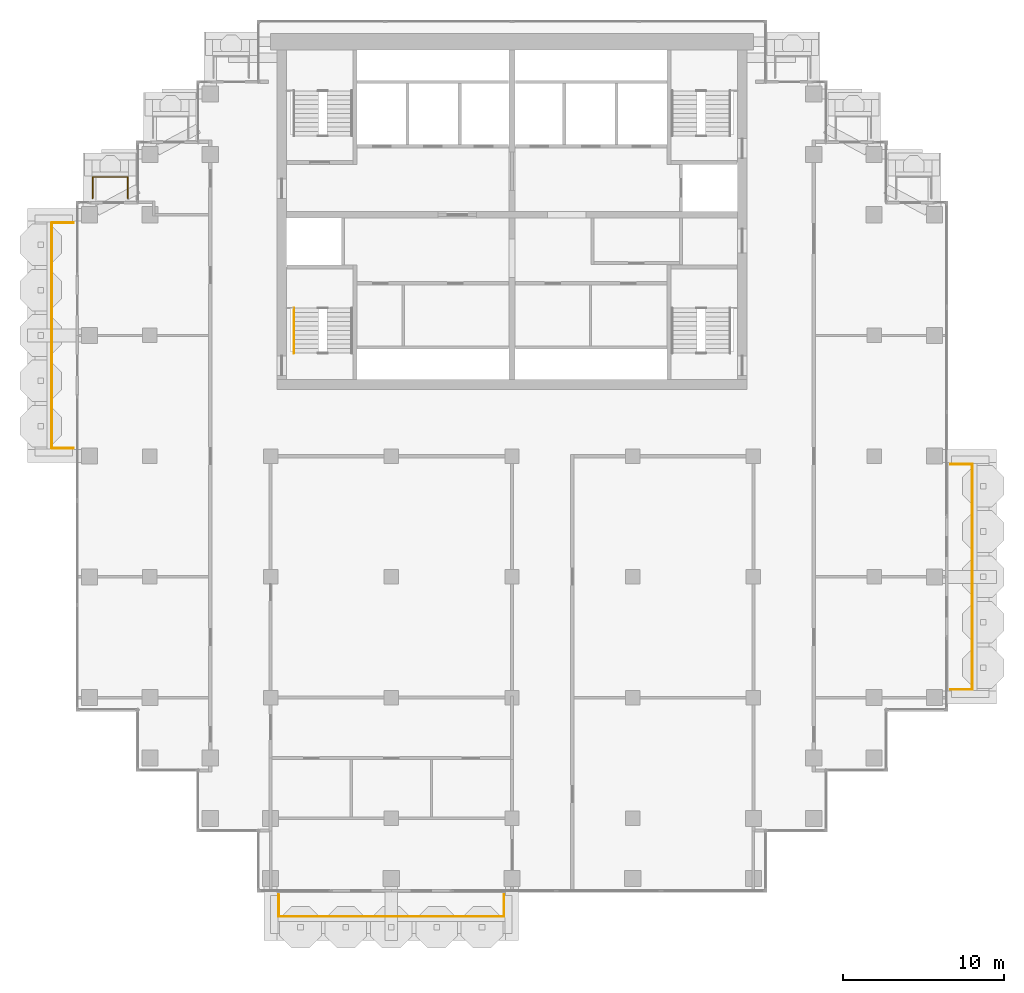
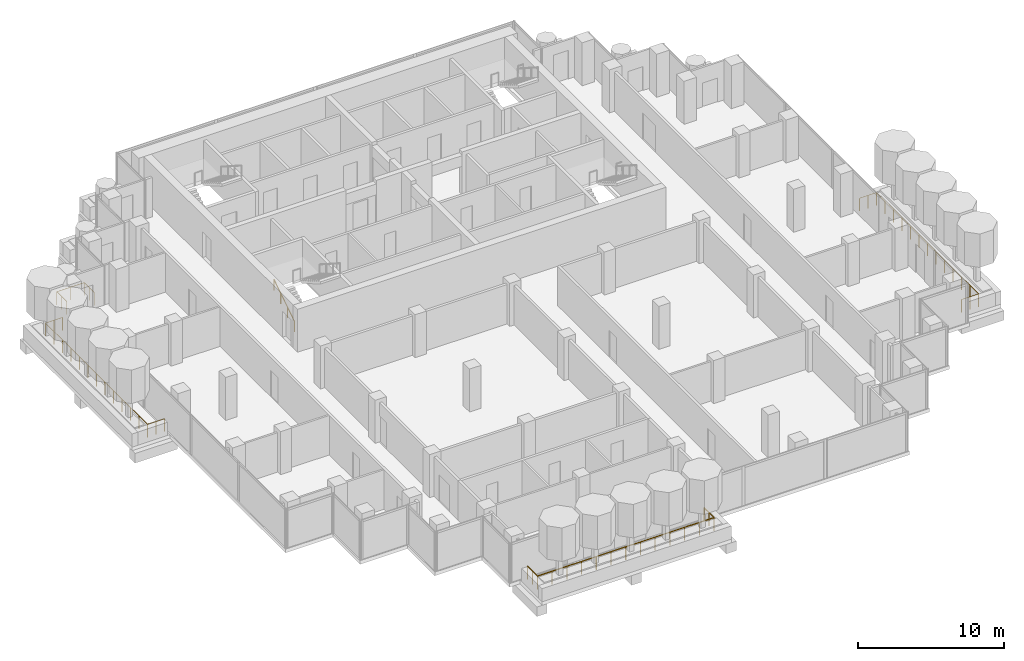
# One storey, part 15 of 17: 5 railings.
"""IFC4 building model written with IfcOpenShell, lengths in metres."""

from ifc_helpers import new_model, si_unit, direction, frame, origin, origin_2d, place, context, subcontext, project, spatial, circle, extrude, material, type_object, element, save


model = new_model("IFC4")

# Units and contexts
model_context = context("Model", 3, precision=1e-05, world=origin(), true_north=direction((0.0, 1.0)))
body_context = subcontext(model_context, "Body", "Model", "MODEL_VIEW")
ifc_project = project(units=[si_unit("LENGTHUNIT", "METRE"), si_unit("AREAUNIT", "SQUARE_METRE"), si_unit("VOLUMEUNIT", "CUBIC_METRE"), si_unit("PLANEANGLEUNIT", "RADIAN"), si_unit("MASSUNIT", "GRAM", prefix="KILO")], contexts=[model_context])

# Site, building, storey
site_placement = place(None, origin())
site = spatial("IfcSite", under=ifc_project, at=site_placement, CompositionType="ELEMENT")
building_placement = place(site_placement, origin())
building = spatial("IfcBuilding", under=site, at=building_placement, Name="Pilkhan Gate Tower", CompositionType="ELEMENT")
storey_placement = place(building_placement, frame((0.0, 0.0, 213.89990234375)))
storey = spatial("IfcBuildingStorey", under=building, at=storey_placement, Name="L55", CompositionType="ELEMENT", Elevation=213.89990234375)

# Railings
ifc_material_1 = material(Name="Pale anodised aluminium posts, laminated glass infill", Category="aluminium")
railing_type_1 = type_object("IfcRailingType", Name="Balcony guard G1", PredefinedType="BALUSTRADE", material=ifc_material_1)
railing_1_placement = place(storey_placement, frame((60.5, 40.25, 0.0)))
element("IfcRailing", 1, at=railing_1_placement, inside=storey, type_object=railing_type_1, Name="Balcony guard L55 S", PredefinedType="BALUSTRADE", context=body_context, shape_type="SweptSolid", body=[
    extrude(circle(Radius=0.02392578125, at=origin_2d()), frame((0.0, 0.0, 1.076171875), z_axis=(0.0, -1.0, 0.0), x_axis=(1.0, 0.0, 0.0)), (0.0, 0.0, 1.0), 1.35009765625),
    extrude(circle(Radius=0.02392578125, at=origin_2d()), frame((0.0, -1.35009765625, 1.076171875), z_axis=(1.0, 0.0, 0.0), x_axis=(0.0, 1.0, 0.0)), (0.0, 0.0, 1.0), 14.0),
    extrude(circle(Radius=0.02392578125, at=origin_2d()), frame((14.0, -1.35009765625, 1.076171875), z_axis=(0.0, 1.0, 0.0), x_axis=(-1.0, 0.0, 0.0)), (0.0, 0.0, 1.0), 1.35009765625),
    extrude(circle(Radius=0.02099609375, at=origin_2d()), origin(), (0.0, 0.0, 1.0), 1.052001953125),
    extrude(circle(Radius=0.02099609375, at=origin_2d()), frame((0.0, -0.675048828125, 0.0)), (0.0, 0.0, 1.0), 1.052001953125),
    extrude(circle(Radius=0.02099609375, at=origin_2d()), frame((0.0, -1.35009765625, 0.0)), (0.0, 0.0, 1.0), 1.052001953125),
    extrude(circle(Radius=0.02099609375, at=origin_2d()), frame((1.166748046875, -1.35009765625, 0.0)), (0.0, 0.0, 1.0), 1.052001953125),
    extrude(circle(Radius=0.02099609375, at=origin_2d()), frame((2.333251953125, -1.35009765625, 0.0)), (0.0, 0.0, 1.0), 1.052001953125),
    extrude(circle(Radius=0.02099609375, at=origin_2d()), frame((3.5, -1.35009765625, 0.0)), (0.0, 0.0, 1.0), 1.052001953125),
    extrude(circle(Radius=0.02099609375, at=origin_2d()), frame((4.666748046875, -1.35009765625, 0.0)), (0.0, 0.0, 1.0), 1.052001953125),
    extrude(circle(Radius=0.02099609375, at=origin_2d()), frame((5.833251953125, -1.35009765625, 0.0)), (0.0, 0.0, 1.0), 1.052001953125),
    extrude(circle(Radius=0.02099609375, at=origin_2d()), frame((7.0, -1.35009765625, 0.0)), (0.0, 0.0, 1.0), 1.052001953125),
    extrude(circle(Radius=0.02099609375, at=origin_2d()), frame((8.166748046875, -1.35009765625, 0.0)), (0.0, 0.0, 1.0), 1.052001953125),
    extrude(circle(Radius=0.02099609375, at=origin_2d()), frame((9.333251953125, -1.35009765625, 0.0)), (0.0, 0.0, 1.0), 1.052001953125),
    extrude(circle(Radius=0.02099609375, at=origin_2d()), frame((10.5, -1.35009765625, 0.0)), (0.0, 0.0, 1.0), 1.052001953125),
    extrude(circle(Radius=0.02099609375, at=origin_2d()), frame((11.666748046875, -1.35009765625, 0.0)), (0.0, 0.0, 1.0), 1.052001953125),
    extrude(circle(Radius=0.02099609375, at=origin_2d()), frame((12.833251953125, -1.35009765625, 0.0)), (0.0, 0.0, 1.0), 1.052001953125),
    extrude(circle(Radius=0.02099609375, at=origin_2d()), frame((14.0, -1.35009765625, 0.0)), (0.0, 0.0, 1.0), 1.052001953125),
    extrude(circle(Radius=0.02099609375, at=origin_2d()), frame((14.0, -0.675048828125, 0.0)), (0.0, 0.0, 1.0), 1.052001953125),
    extrude(circle(Radius=0.02099609375, at=origin_2d()), frame((14.0, 0.0, 0.0)), (0.0, 0.0, 1.0), 1.052001953125),
])
railing_2_placement = place(storey_placement, frame((102.25, 53.0, 0.0)))
element("IfcRailing", 2, at=railing_2_placement, inside=storey, type_object=railing_type_1, Name="Balcony guard L55 E", PredefinedType="BALUSTRADE", context=body_context, shape_type="SweptSolid", body=[
    extrude(circle(Radius=0.02392578125, at=origin_2d()), frame((0.0, 0.0, 1.076171875), z_axis=(1.0, 0.0, 0.0), x_axis=(0.0, 1.0, 0.0)), (0.0, 0.0, 1.0), 1.35009765625),
    extrude(circle(Radius=0.02392578125, at=origin_2d()), frame((1.35009765625, 0.0, 1.076171875), z_axis=(0.0, 1.0, 0.0), x_axis=(-1.0, 0.0, 0.0)), (0.0, 0.0, 1.0), 14.0),
    extrude(circle(Radius=0.02392578125, at=origin_2d()), frame((1.35009765625, 14.0, 1.076171875), z_axis=(-1.0, 0.0, 0.0), x_axis=(0.0, -1.0, 0.0)), (0.0, 0.0, 1.0), 1.35009765625),
    extrude(circle(Radius=0.02099609375, at=origin_2d()), origin(), (0.0, 0.0, 1.0), 1.052001953125),
    extrude(circle(Radius=0.02099609375, at=origin_2d()), frame((0.675048828125, 0.0, 0.0)), (0.0, 0.0, 1.0), 1.052001953125),
    extrude(circle(Radius=0.02099609375, at=origin_2d()), frame((1.35009765625, 0.0, 0.0)), (0.0, 0.0, 1.0), 1.052001953125),
    extrude(circle(Radius=0.02099609375, at=origin_2d()), frame((1.35009765625, 1.166748046875, 0.0)), (0.0, 0.0, 1.0), 1.052001953125),
    extrude(circle(Radius=0.02099609375, at=origin_2d()), frame((1.35009765625, 2.333251953125, 0.0)), (0.0, 0.0, 1.0), 1.052001953125),
    extrude(circle(Radius=0.02099609375, at=origin_2d()), frame((1.35009765625, 3.5, 0.0)), (0.0, 0.0, 1.0), 1.052001953125),
    extrude(circle(Radius=0.02099609375, at=origin_2d()), frame((1.35009765625, 4.666748046875, 0.0)), (0.0, 0.0, 1.0), 1.052001953125),
    extrude(circle(Radius=0.02099609375, at=origin_2d()), frame((1.35009765625, 5.833251953125, 0.0)), (0.0, 0.0, 1.0), 1.052001953125),
    extrude(circle(Radius=0.02099609375, at=origin_2d()), frame((1.35009765625, 7.0, 0.0)), (0.0, 0.0, 1.0), 1.052001953125),
    extrude(circle(Radius=0.02099609375, at=origin_2d()), frame((1.35009765625, 8.166748046875, 0.0)), (0.0, 0.0, 1.0), 1.052001953125),
    extrude(circle(Radius=0.02099609375, at=origin_2d()), frame((1.35009765625, 9.333251953125, 0.0)), (0.0, 0.0, 1.0), 1.052001953125),
    extrude(circle(Radius=0.02099609375, at=origin_2d()), frame((1.35009765625, 10.5, 0.0)), (0.0, 0.0, 1.0), 1.052001953125),
    extrude(circle(Radius=0.02099609375, at=origin_2d()), frame((1.35009765625, 11.666748046875, 0.0)), (0.0, 0.0, 1.0), 1.052001953125),
    extrude(circle(Radius=0.02099609375, at=origin_2d()), frame((1.35009765625, 12.833251953125, 0.0)), (0.0, 0.0, 1.0), 1.052001953125),
    extrude(circle(Radius=0.02099609375, at=origin_2d()), frame((1.35009765625, 14.0, 0.0)), (0.0, 0.0, 1.0), 1.052001953125),
    extrude(circle(Radius=0.02099609375, at=origin_2d()), frame((0.675048828125, 14.0, 0.0)), (0.0, 0.0, 1.0), 1.052001953125),
    extrude(circle(Radius=0.02099609375, at=origin_2d()), frame((0.0, 14.0, 0.0)), (0.0, 0.0, 1.0), 1.052001953125),
])
railing_3_placement = place(storey_placement, frame((48.949951171875, 83.52001953125, 0.0)))
element("IfcRailing", 3, at=railing_3_placement, inside=storey, type_object=railing_type_1, Name="Balcony guard L55 N", PredefinedType="BALUSTRADE", context=body_context, shape_type="SweptSolid", body=[
    extrude(circle(Radius=0.02392578125, at=origin_2d()), frame((0.0, 0.0, 1.076171875), z_axis=(0.0, 1.0, 0.0), x_axis=(-1.0, 0.0, 0.0)), (0.0, 0.0, 1.0), 1.330078125),
    extrude(circle(Radius=0.02392578125, at=origin_2d()), frame((0.0, 1.330078125, 1.076171875), z_axis=(1.0, 0.0, 0.0), x_axis=(0.0, 1.0, 0.0)), (0.0, 0.0, 1.0), 2.179931640625),
    extrude(circle(Radius=0.02392578125, at=origin_2d()), frame((2.179931640625, 1.330078125, 1.076171875), z_axis=(0.0, -1.0, 0.0), x_axis=(1.0, 0.0, 0.0)), (0.0, 0.0, 1.0), 1.330078125),
    extrude(circle(Radius=0.02099609375, at=origin_2d()), origin(), (0.0, 0.0, 1.0), 1.052001953125),
    extrude(circle(Radius=0.02099609375, at=origin_2d()), frame((0.0, 0.6650390625, 0.0)), (0.0, 0.0, 1.0), 1.052001953125),
    extrude(circle(Radius=0.02099609375, at=origin_2d()), frame((0.0, 1.330078125, 0.0)), (0.0, 0.0, 1.0), 1.052001953125),
    extrude(circle(Radius=0.02099609375, at=origin_2d()), frame((1.08984375, 1.330078125, 0.0)), (0.0, 0.0, 1.0), 1.052001953125),
    extrude(circle(Radius=0.02099609375, at=origin_2d()), frame((2.179931640625, 1.330078125, 0.0)), (0.0, 0.0, 1.0), 1.052001953125),
    extrude(circle(Radius=0.02099609375, at=origin_2d()), frame((2.179931640625, 0.6650390625, 0.0)), (0.0, 0.0, 1.0), 1.052001953125),
    extrude(circle(Radius=0.02099609375, at=origin_2d()), frame((2.179931640625, 0.0, 0.0)), (0.0, 0.0, 1.0), 1.052001953125),
])
railing_4_placement = place(storey_placement, frame((47.75, 68.0, 0.0)))
element("IfcRailing", 4, at=railing_4_placement, inside=storey, type_object=railing_type_1, Name="Balcony guard L55 W", PredefinedType="BALUSTRADE", context=body_context, shape_type="SweptSolid", body=[
    extrude(circle(Radius=0.02392578125, at=origin_2d()), frame((0.0, 0.0, 1.076171875), z_axis=(-1.0, 0.0, 0.0), x_axis=(0.0, -1.0, 0.0)), (0.0, 0.0, 1.0), 1.35009765625),
    extrude(circle(Radius=0.02392578125, at=origin_2d()), frame((-1.35009765625, 0.0, 1.076171875), z_axis=(0.0, 1.0, 0.0), x_axis=(-1.0, 0.0, 0.0)), (0.0, 0.0, 1.0), 14.0),
    extrude(circle(Radius=0.02392578125, at=origin_2d()), frame((-1.35009765625, 14.0, 1.076171875), z_axis=(1.0, 0.0, 0.0), x_axis=(0.0, 1.0, 0.0)), (0.0, 0.0, 1.0), 1.35009765625),
    extrude(circle(Radius=0.02099609375, at=origin_2d()), origin(), (0.0, 0.0, 1.0), 1.052001953125),
    extrude(circle(Radius=0.02099609375, at=origin_2d()), frame((-0.675048828125, 0.0, 0.0)), (0.0, 0.0, 1.0), 1.052001953125),
    extrude(circle(Radius=0.02099609375, at=origin_2d()), frame((-1.35009765625, 0.0, 0.0)), (0.0, 0.0, 1.0), 1.052001953125),
    extrude(circle(Radius=0.02099609375, at=origin_2d()), frame((-1.35009765625, 1.166748046875, 0.0)), (0.0, 0.0, 1.0), 1.052001953125),
    extrude(circle(Radius=0.02099609375, at=origin_2d()), frame((-1.35009765625, 2.333251953125, 0.0)), (0.0, 0.0, 1.0), 1.052001953125),
    extrude(circle(Radius=0.02099609375, at=origin_2d()), frame((-1.35009765625, 3.5, 0.0)), (0.0, 0.0, 1.0), 1.052001953125),
    extrude(circle(Radius=0.02099609375, at=origin_2d()), frame((-1.35009765625, 4.666748046875, 0.0)), (0.0, 0.0, 1.0), 1.052001953125),
    extrude(circle(Radius=0.02099609375, at=origin_2d()), frame((-1.35009765625, 5.833251953125, 0.0)), (0.0, 0.0, 1.0), 1.052001953125),
    extrude(circle(Radius=0.02099609375, at=origin_2d()), frame((-1.35009765625, 7.0, 0.0)), (0.0, 0.0, 1.0), 1.052001953125),
    extrude(circle(Radius=0.02099609375, at=origin_2d()), frame((-1.35009765625, 8.166748046875, 0.0)), (0.0, 0.0, 1.0), 1.052001953125),
    extrude(circle(Radius=0.02099609375, at=origin_2d()), frame((-1.35009765625, 9.333251953125, 0.0)), (0.0, 0.0, 1.0), 1.052001953125),
    extrude(circle(Radius=0.02099609375, at=origin_2d()), frame((-1.35009765625, 10.5, 0.0)), (0.0, 0.0, 1.0), 1.052001953125),
    extrude(circle(Radius=0.02099609375, at=origin_2d()), frame((-1.35009765625, 11.666748046875, 0.0)), (0.0, 0.0, 1.0), 1.052001953125),
    extrude(circle(Radius=0.02099609375, at=origin_2d()), frame((-1.35009765625, 12.833251953125, 0.0)), (0.0, 0.0, 1.0), 1.052001953125),
    extrude(circle(Radius=0.02099609375, at=origin_2d()), frame((-1.35009765625, 14.0, 0.0)), (0.0, 0.0, 1.0), 1.052001953125),
    extrude(circle(Radius=0.02099609375, at=origin_2d()), frame((-0.675048828125, 14.0, 0.0)), (0.0, 0.0, 1.0), 1.052001953125),
    extrude(circle(Radius=0.02099609375, at=origin_2d()), frame((0.0, 14.0, 0.0)), (0.0, 0.0, 1.0), 1.052001953125),
])
ifc_material_2 = material(Name="Black powder-coated steel tube", Category="steel")
railing_type_2 = type_object("IfcRailingType", Name="Stair handrail HR1", PredefinedType="HANDRAIL", material=ifc_material_2)
railing_5_placement = place(storey_placement, frame((61.449951171875, 73.89990234375, 0.0)))
element("IfcRailing", 5, at=railing_5_placement, inside=storey, type_object=railing_type_2, Name="Stair ST2 handrail L55", PredefinedType="HANDRAIL", context=body_context, shape_type="SweptSolid", body=[
    extrude(circle(Radius=0.02392578125, at=origin_2d()), frame((0.0, 0.0, 0.8759765625), z_axis=(0.0, 0.841176092368, 0.540761298198), x_axis=(-1.0, 0.0, 0.0)), (0.0, 0.0, 1.0), 3.32861328125),
    extrude(circle(Radius=0.02099609375, at=origin_2d()), origin(), (0.0, 0.0, 1.0), 0.851806640625),
    extrude(circle(Radius=0.02099609375, at=origin_2d()), frame((0.0, 0.933349609375, 0.60009765625)), (0.0, 0.0, 1.0), 0.851806640625),
    extrude(circle(Radius=0.02099609375, at=origin_2d()), frame((0.0, 1.86669921875, 1.199951171875)), (0.0, 0.0, 1.0), 0.851806640625),
    extrude(circle(Radius=0.02099609375, at=origin_2d()), frame((0.0, 2.800048828125, 1.800048828125)), (0.0, 0.0, 1.0), 0.851806640625),
])

save(model, "model.ifc")
